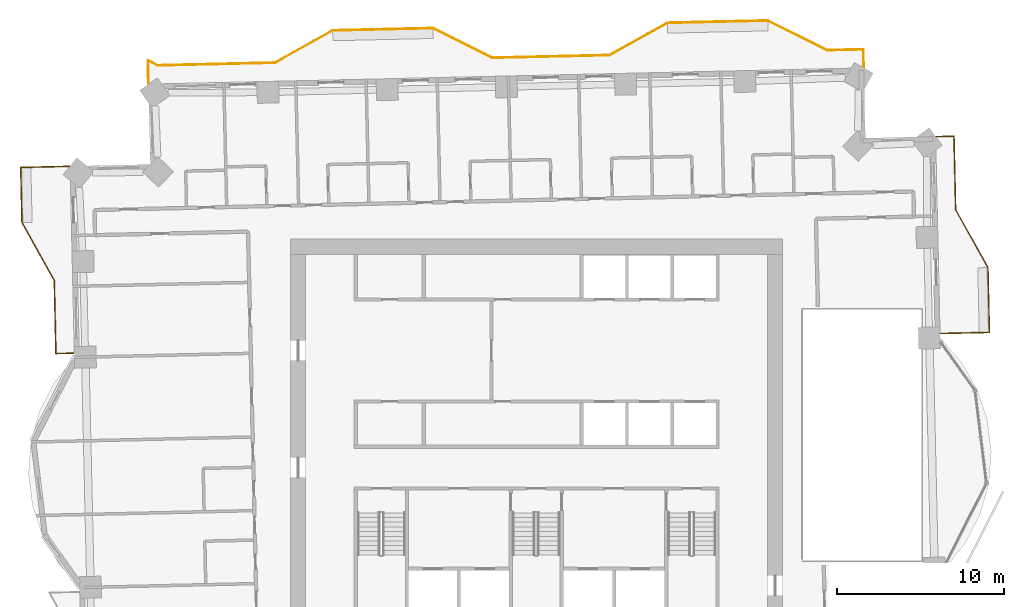
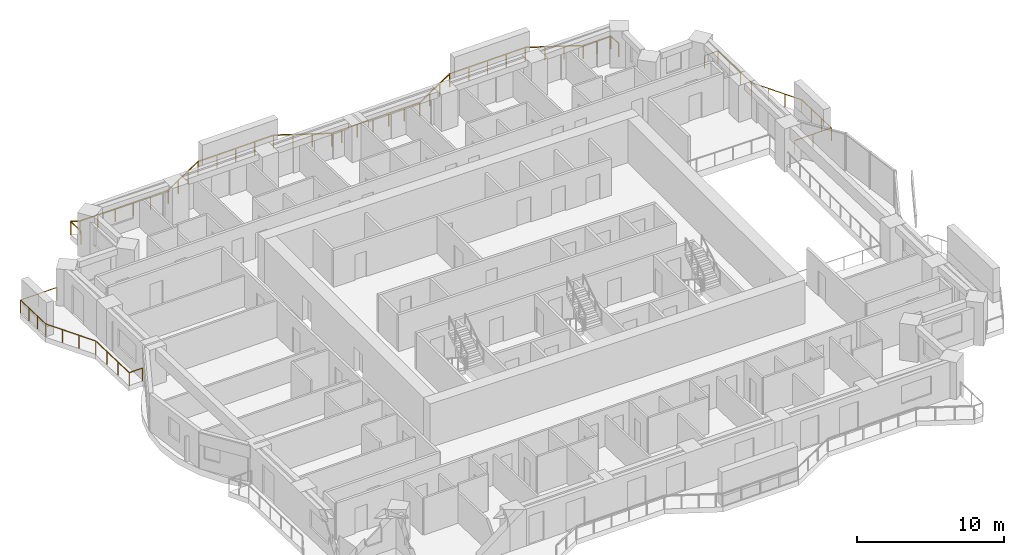
# One storey, part 16 of 16: 3 railings.
"""IFC4 building model written with IfcOpenShell, lengths in metres."""

from ifc_helpers import new_model, si_unit, direction, frame, origin, origin_2d, place, context, subcontext, project, spatial, rectangle, extrude, material, type_object, element, save


model = new_model("IFC4")

# Units and contexts
model_context = context("Model", 3, precision=1e-05, world=origin(), true_north=direction((0.0, 1.0)))
body_context = subcontext(model_context, "Body", "Model", "MODEL_VIEW")
ifc_project = project(units=[si_unit("LENGTHUNIT", "METRE"), si_unit("AREAUNIT", "SQUARE_METRE"), si_unit("VOLUMEUNIT", "CUBIC_METRE"), si_unit("PLANEANGLEUNIT", "RADIAN"), si_unit("MASSUNIT", "GRAM", prefix="KILO")], contexts=[model_context])

# Site, building, storey
site_placement = place(None, origin())
site = spatial("IfcSite", under=ifc_project, at=site_placement, CompositionType="ELEMENT")
building_placement = place(site_placement, origin())
building = spatial("IfcBuilding", under=site, at=building_placement, Name="Mangrove Gate Tower", CompositionType="ELEMENT")
storey_placement = place(building_placement, frame((0.0, 0.0, 144.5)))
storey = spatial("IfcBuildingStorey", under=building, at=storey_placement, Name="L36", CompositionType="ELEMENT", Elevation=144.5)

# Railings
ifc_material = material(Name="Stainless steel grade 316 with laminated glass infill", Category="steel")
railing_type = type_object("IfcRailingType", Name="Balcony guard 1100", PredefinedType="GUARDRAIL", material=ifc_material)
railing_1_placement = place(storey_placement, frame((24.14404296875, 6.06103515625, 0.0)))
element("IfcRailing", 1, at=railing_1_placement, inside=storey, type_object=railing_type, Name="GUARD L36 E2", PredefinedType="GUARDRAIL", context=body_context, shape_type="SweptSolid", body=[
    extrude(rectangle(XDim=0.048095703125, YDim=0.048095703125, at=origin_2d()), frame((0.0, 0.0, 1.076171875), z_axis=(0.999743349437, 0.022654696127, 0.0), x_axis=(-0.022654696127, 0.999743349437, 0.0)), (0.0, 0.0, 1.0), 2.90966796875),
    extrude(rectangle(XDim=0.048095703125, YDim=0.048095703125, at=origin_2d()), frame((2.908935546875, 0.06591796875, 1.076171875), z_axis=(-0.022681332769, 0.999742745482, 0.0), x_axis=(-0.999742745482, -0.022681332769, 0.0)), (0.0, 0.0, 1.0), 3.875),
    extrude(rectangle(XDim=0.048095703125, YDim=0.048095703125, at=origin_2d()), frame((2.821044921875, 3.93994140625, 1.076171875), z_axis=(-0.487307108654, 0.873230657876, 0.0), x_axis=(-0.873230657876, -0.487307108654, 0.0)), (0.0, 0.0, 1.0), 3.958984375),
    extrude(rectangle(XDim=0.048095703125, YDim=0.048095703125, at=origin_2d()), frame((0.891845703125, 7.39697265625, 1.076171875), z_axis=(-0.022693676786, 0.999742465355, 0.0), x_axis=(-0.999742465355, -0.022693676786, 0.0)), (0.0, 0.0, 1.0), 4.400146484375),
    extrude(rectangle(XDim=0.048095703125, YDim=0.048095703125, at=origin_2d()), frame((0.7919921875, 11.7958984375, 1.076171875), z_axis=(-0.999744919731, -0.022585293253, 0.0), x_axis=(0.022585293253, -0.999744919731, 0.0)), (0.0, 0.0, 1.0), 1.059326171875),
    extrude(rectangle(XDim=0.0419921875, YDim=0.0419921875, at=origin_2d()), origin(), (0.0, 0.0, 1.0), 1.052001953125),
    extrude(rectangle(XDim=0.0419921875, YDim=0.0419921875, at=origin_2d()), frame((1.45458984375, 0.032958984375, 0.0)), (0.0, 0.0, 1.0), 1.052001953125),
    extrude(rectangle(XDim=0.0419921875, YDim=0.0419921875, at=origin_2d()), frame((2.908935546875, 0.06591796875, 0.0)), (0.0, 0.0, 1.0), 1.052001953125),
    extrude(rectangle(XDim=0.0419921875, YDim=0.0419921875, at=origin_2d()), frame((2.879638671875, 1.357177734375, 0.0)), (0.0, 0.0, 1.0), 1.052001953125),
    extrude(rectangle(XDim=0.0419921875, YDim=0.0419921875, at=origin_2d()), frame((2.850341796875, 2.648681640625, 0.0)), (0.0, 0.0, 1.0), 1.052001953125),
    extrude(rectangle(XDim=0.0419921875, YDim=0.0419921875, at=origin_2d()), frame((2.821044921875, 3.93994140625, 0.0)), (0.0, 0.0, 1.0), 1.052001953125),
    extrude(rectangle(XDim=0.0419921875, YDim=0.0419921875, at=origin_2d()), frame((2.177978515625, 5.09228515625, 0.0)), (0.0, 0.0, 1.0), 1.052001953125),
    extrude(rectangle(XDim=0.0419921875, YDim=0.0419921875, at=origin_2d()), frame((1.534912109375, 6.24462890625, 0.0)), (0.0, 0.0, 1.0), 1.052001953125),
    extrude(rectangle(XDim=0.0419921875, YDim=0.0419921875, at=origin_2d()), frame((0.891845703125, 7.39697265625, 0.0)), (0.0, 0.0, 1.0), 1.052001953125),
    extrude(rectangle(XDim=0.0419921875, YDim=0.0419921875, at=origin_2d()), frame((0.858642578125, 8.86328125, 0.0)), (0.0, 0.0, 1.0), 1.052001953125),
    extrude(rectangle(XDim=0.0419921875, YDim=0.0419921875, at=origin_2d()), frame((0.8251953125, 10.32958984375, 0.0)), (0.0, 0.0, 1.0), 1.052001953125),
    extrude(rectangle(XDim=0.0419921875, YDim=0.0419921875, at=origin_2d()), frame((0.7919921875, 11.7958984375, 0.0)), (0.0, 0.0, 1.0), 1.052001953125),
    extrude(rectangle(XDim=0.0419921875, YDim=0.0419921875, at=origin_2d()), frame((-0.26708984375, 11.77197265625, 0.0)), (0.0, 0.0, 1.0), 1.052001953125),
])
railing_2_placement = place(storey_placement, frame((19.541015625, 21.97607421875, 0.0)))
element("IfcRailing", 2, at=railing_2_placement, inside=storey, type_object=railing_type, Name="GUARD L36 N1", PredefinedType="GUARDRAIL", context=body_context, shape_type="SweptSolid", body=[
    extrude(rectangle(XDim=0.048095703125, YDim=0.048095703125, at=origin_2d()), frame((0.0, 0.0, 1.076171875), z_axis=(-0.022590498181, 0.999744802133, 0.0), x_axis=(-0.999744802133, -0.022590498181, 0.0)), (0.0, 0.0, 1.0), 1.05908203125),
    extrude(rectangle(XDim=0.048095703125, YDim=0.048095703125, at=origin_2d()), frame((-0.02392578125, 1.058837890625, 1.076171875), z_axis=(-0.999747204869, -0.0224839133, 0.0), x_axis=(0.0224839133, -0.999747204869, 0.0)), (0.0, 0.0, 1.0), 2.171630859375),
    extrude(rectangle(XDim=0.048095703125, YDim=0.048095703125, at=origin_2d()), frame((-2.195068359375, 1.010009765625, 1.076171875), z_axis=(-0.894476522376, 0.447114919141, 0.0), x_axis=(-0.447114919141, -0.894476522376, 0.0)), (0.0, 0.0, 1.0), 3.958740234375),
    extrude(rectangle(XDim=0.048095703125, YDim=0.048095703125, at=origin_2d()), frame((-5.736083984375, 2.780029296875, 1.076171875), z_axis=(-0.999743094499, -0.022665943652, 0.0), x_axis=(0.022665943652, -0.999743094499, 0.0)), (0.0, 0.0, 1.0), 5.99951171875),
    extrude(rectangle(XDim=0.048095703125, YDim=0.048095703125, at=origin_2d()), frame((-11.734130859375, 2.64404296875, 1.076171875), z_axis=(-0.873274580395, -0.487228393298, 0.0), x_axis=(0.487228393298, -0.873274580395, 0.0)), (0.0, 0.0, 1.0), 3.95947265625),
    extrude(rectangle(XDim=0.048095703125, YDim=0.048095703125, at=origin_2d()), frame((-15.19189453125, 0.71484375, 1.076171875), z_axis=(-0.999745401179, -0.022563971753, 0.0), x_axis=(0.022563971753, -0.999745401179, 0.0)), (0.0, 0.0, 1.0), 6.19970703125),
    extrude(rectangle(XDim=0.048095703125, YDim=0.048095703125, at=origin_2d()), frame((-21.39013671875, 0.574951171875, 1.076171875), z_axis=(-0.999716673744, -0.023802777946, 0.0), x_axis=(0.023802777946, -0.999716673744, 0.0)), (0.0, 0.0, 1.0), 0.800048828125),
    extrude(rectangle(XDim=0.048095703125, YDim=0.048095703125, at=origin_2d()), frame((-22.18994140625, 0.555908203125, 1.076171875), z_axis=(-0.894377854182, 0.447312255532, 0.0), x_axis=(-0.447312255532, -0.894377854182, 0.0)), (0.0, 0.0, 1.0), 3.959228515625),
    extrude(rectangle(XDim=0.048095703125, YDim=0.048095703125, at=origin_2d()), frame((-25.73095703125, 2.326904296875, 1.076171875), z_axis=(-0.999739392852, -0.022828630714, 0.0), x_axis=(0.022828630714, -0.999739392852, 0.0)), (0.0, 0.0, 1.0), 5.99951171875),
    extrude(rectangle(XDim=0.048095703125, YDim=0.048095703125, at=origin_2d()), frame((-31.72900390625, 2.18994140625, 1.076171875), z_axis=(-0.87325689943, -0.48726008209, 0.0), x_axis=(0.48726008209, -0.87325689943, 0.0)), (0.0, 0.0, 1.0), 3.958740234375),
    extrude(rectangle(XDim=0.048095703125, YDim=0.048095703125, at=origin_2d()), frame((-35.18603515625, 0.260986328125, 1.076171875), z_axis=(-0.999745423737, -0.022562972274, 0.0), x_axis=(0.022562972274, -0.999745423737, 0.0)), (0.0, 0.0, 1.0), 7.000732421875),
    extrude(rectangle(XDim=0.048095703125, YDim=0.048095703125, at=origin_2d()), frame((-42.18505859375, 0.10302734375, 1.076171875), z_axis=(-0.894502759364, 0.447062426839, 0.0), x_axis=(-0.447062426839, -0.894502759364, 0.0)), (0.0, 0.0, 1.0), 0.64599609375),
    extrude(rectangle(XDim=0.048095703125, YDim=0.048095703125, at=origin_2d()), frame((-42.762939453125, 0.391845703125, 1.076171875), z_axis=(0.022045555211, -0.999756967215, 0.0), x_axis=(0.999756967215, 0.022045555211, 0.0)), (0.0, 0.0, 1.0), 1.362060546875),
    extrude(rectangle(XDim=0.0419921875, YDim=0.0419921875, at=origin_2d()), origin(), (0.0, 0.0, 1.0), 1.052001953125),
    extrude(rectangle(XDim=0.0419921875, YDim=0.0419921875, at=origin_2d()), frame((-0.02392578125, 1.058837890625, 0.0)), (0.0, 0.0, 1.0), 1.052001953125),
    extrude(rectangle(XDim=0.0419921875, YDim=0.0419921875, at=origin_2d()), frame((-1.109375, 1.034423828125, 0.0)), (0.0, 0.0, 1.0), 1.052001953125),
    extrude(rectangle(XDim=0.0419921875, YDim=0.0419921875, at=origin_2d()), frame((-2.195068359375, 1.010009765625, 0.0)), (0.0, 0.0, 1.0), 1.052001953125),
    extrude(rectangle(XDim=0.0419921875, YDim=0.0419921875, at=origin_2d()), frame((-3.37548828125, 1.60009765625, 0.0)), (0.0, 0.0, 1.0), 1.052001953125),
    extrude(rectangle(XDim=0.0419921875, YDim=0.0419921875, at=origin_2d()), frame((-4.5556640625, 2.18994140625, 0.0)), (0.0, 0.0, 1.0), 1.052001953125),
    extrude(rectangle(XDim=0.0419921875, YDim=0.0419921875, at=origin_2d()), frame((-5.736083984375, 2.780029296875, 0.0)), (0.0, 0.0, 1.0), 1.052001953125),
    extrude(rectangle(XDim=0.0419921875, YDim=0.0419921875, at=origin_2d()), frame((-7.235595703125, 2.74609375, 0.0)), (0.0, 0.0, 1.0), 1.052001953125),
    extrude(rectangle(XDim=0.0419921875, YDim=0.0419921875, at=origin_2d()), frame((-8.735107421875, 2.7119140625, 0.0)), (0.0, 0.0, 1.0), 1.052001953125),
    extrude(rectangle(XDim=0.0419921875, YDim=0.0419921875, at=origin_2d()), frame((-10.234619140625, 2.677978515625, 0.0)), (0.0, 0.0, 1.0), 1.052001953125),
    extrude(rectangle(XDim=0.0419921875, YDim=0.0419921875, at=origin_2d()), frame((-11.734130859375, 2.64404296875, 0.0)), (0.0, 0.0, 1.0), 1.052001953125),
    extrude(rectangle(XDim=0.0419921875, YDim=0.0419921875, at=origin_2d()), frame((-12.88671875, 2.0009765625, 0.0)), (0.0, 0.0, 1.0), 1.052001953125),
    extrude(rectangle(XDim=0.0419921875, YDim=0.0419921875, at=origin_2d()), frame((-14.039306640625, 1.35791015625, 0.0)), (0.0, 0.0, 1.0), 1.052001953125),
    extrude(rectangle(XDim=0.0419921875, YDim=0.0419921875, at=origin_2d()), frame((-15.19189453125, 0.71484375, 0.0)), (0.0, 0.0, 1.0), 1.052001953125),
    extrude(rectangle(XDim=0.0419921875, YDim=0.0419921875, at=origin_2d()), frame((-16.431640625, 0.686767578125, 0.0)), (0.0, 0.0, 1.0), 1.052001953125),
    extrude(rectangle(XDim=0.0419921875, YDim=0.0419921875, at=origin_2d()), frame((-17.671142578125, 0.658935546875, 0.0)), (0.0, 0.0, 1.0), 1.052001953125),
    extrude(rectangle(XDim=0.0419921875, YDim=0.0419921875, at=origin_2d()), frame((-18.910888671875, 0.630859375, 0.0)), (0.0, 0.0, 1.0), 1.052001953125),
    extrude(rectangle(XDim=0.0419921875, YDim=0.0419921875, at=origin_2d()), frame((-20.150390625, 0.60302734375, 0.0)), (0.0, 0.0, 1.0), 1.052001953125),
    extrude(rectangle(XDim=0.0419921875, YDim=0.0419921875, at=origin_2d()), frame((-21.39013671875, 0.574951171875, 0.0)), (0.0, 0.0, 1.0), 1.052001953125),
    extrude(rectangle(XDim=0.0419921875, YDim=0.0419921875, at=origin_2d()), frame((-22.18994140625, 0.555908203125, 0.0)), (0.0, 0.0, 1.0), 1.052001953125),
    extrude(rectangle(XDim=0.0419921875, YDim=0.0419921875, at=origin_2d()), frame((-23.370361328125, 1.146240234375, 0.0)), (0.0, 0.0, 1.0), 1.052001953125),
    extrude(rectangle(XDim=0.0419921875, YDim=0.0419921875, at=origin_2d()), frame((-24.550537109375, 1.736572265625, 0.0)), (0.0, 0.0, 1.0), 1.052001953125),
    extrude(rectangle(XDim=0.0419921875, YDim=0.0419921875, at=origin_2d()), frame((-25.73095703125, 2.326904296875, 0.0)), (0.0, 0.0, 1.0), 1.052001953125),
    extrude(rectangle(XDim=0.0419921875, YDim=0.0419921875, at=origin_2d()), frame((-27.23046875, 2.292724609375, 0.0)), (0.0, 0.0, 1.0), 1.052001953125),
    extrude(rectangle(XDim=0.0419921875, YDim=0.0419921875, at=origin_2d()), frame((-28.72998046875, 2.25830078125, 0.0)), (0.0, 0.0, 1.0), 1.052001953125),
    extrude(rectangle(XDim=0.0419921875, YDim=0.0419921875, at=origin_2d()), frame((-30.2294921875, 2.22412109375, 0.0)), (0.0, 0.0, 1.0), 1.052001953125),
    extrude(rectangle(XDim=0.0419921875, YDim=0.0419921875, at=origin_2d()), frame((-31.72900390625, 2.18994140625, 0.0)), (0.0, 0.0, 1.0), 1.052001953125),
    extrude(rectangle(XDim=0.0419921875, YDim=0.0419921875, at=origin_2d()), frame((-32.88134765625, 1.546875, 0.0)), (0.0, 0.0, 1.0), 1.052001953125),
    extrude(rectangle(XDim=0.0419921875, YDim=0.0419921875, at=origin_2d()), frame((-34.03369140625, 0.904052734375, 0.0)), (0.0, 0.0, 1.0), 1.052001953125),
    extrude(rectangle(XDim=0.0419921875, YDim=0.0419921875, at=origin_2d()), frame((-35.18603515625, 0.260986328125, 0.0)), (0.0, 0.0, 1.0), 1.052001953125),
    extrude(rectangle(XDim=0.0419921875, YDim=0.0419921875, at=origin_2d()), frame((-36.5859375, 0.2294921875, 0.0)), (0.0, 0.0, 1.0), 1.052001953125),
    extrude(rectangle(XDim=0.0419921875, YDim=0.0419921875, at=origin_2d()), frame((-37.985595703125, 0.19775390625, 0.0)), (0.0, 0.0, 1.0), 1.052001953125),
    extrude(rectangle(XDim=0.0419921875, YDim=0.0419921875, at=origin_2d()), frame((-39.385498046875, 0.166259765625, 0.0)), (0.0, 0.0, 1.0), 1.052001953125),
    extrude(rectangle(XDim=0.0419921875, YDim=0.0419921875, at=origin_2d()), frame((-40.78515625, 0.134521484375, 0.0)), (0.0, 0.0, 1.0), 1.052001953125),
    extrude(rectangle(XDim=0.0419921875, YDim=0.0419921875, at=origin_2d()), frame((-42.18505859375, 0.10302734375, 0.0)), (0.0, 0.0, 1.0), 1.052001953125),
    extrude(rectangle(XDim=0.0419921875, YDim=0.0419921875, at=origin_2d()), frame((-42.762939453125, 0.391845703125, 0.0)), (0.0, 0.0, 1.0), 1.052001953125),
    extrude(rectangle(XDim=0.0419921875, YDim=0.0419921875, at=origin_2d()), frame((-42.73291015625, -0.969970703125, 0.0)), (0.0, 0.0, 1.0), 1.052001953125),
])
railing_3_placement = place(storey_placement, frame((-27.9208984375, 16.056884765625, 0.0)))
element("IfcRailing", 3, at=railing_3_placement, inside=storey, type_object=railing_type, Name="GUARD L36 W1", PredefinedType="GUARDRAIL", context=body_context, shape_type="SweptSolid", body=[
    extrude(rectangle(XDim=0.048095703125, YDim=0.048095703125, at=origin_2d()), frame((0.0, 0.0, 1.076171875), z_axis=(-0.999743392495, -0.022652795902, 0.0), x_axis=(0.022652795902, -0.999743392495, 0.0)), (0.0, 0.0, 1.0), 2.909912109375),
    extrude(rectangle(XDim=0.048095703125, YDim=0.048095703125, at=origin_2d()), frame((-2.9091796875, -0.06591796875, 1.076171875), z_axis=(0.02278694782, -0.999740343794, 0.0), x_axis=(0.999740343794, 0.02278694782, 0.0)), (0.0, 0.0, 1.0), 3.300048828125),
    extrude(rectangle(XDim=0.048095703125, YDim=0.048095703125, at=origin_2d()), frame((-2.833984375, -3.364990234375, 1.076171875), z_axis=(0.487286324359, -0.873242256246, 0.0), x_axis=(0.873242256246, 0.487286324359, 0.0)), (0.0, 0.0, 1.0), 3.95849609375),
    extrude(rectangle(XDim=0.048095703125, YDim=0.048095703125, at=origin_2d()), frame((-0.905029296875, -6.82177734375, 1.076171875), z_axis=(0.022604762968, -0.9997444797, 0.0), x_axis=(0.9997444797, 0.022604762968, 0.0)), (0.0, 0.0, 1.0), 4.374267578125),
    extrude(rectangle(XDim=0.048095703125, YDim=0.048095703125, at=origin_2d()), frame((-0.80615234375, -11.19482421875, 1.076171875), z_axis=(0.999745389313, 0.022564497502, 0.0), x_axis=(-0.022564497502, 0.999745389313, 0.0)), (0.0, 0.0, 1.0), 1.060302734375),
    extrude(rectangle(XDim=0.0419921875, YDim=0.0419921875, at=origin_2d()), origin(), (0.0, 0.0, 1.0), 1.052001953125),
    extrude(rectangle(XDim=0.0419921875, YDim=0.0419921875, at=origin_2d()), frame((-1.45458984375, -0.032958984375, 0.0)), (0.0, 0.0, 1.0), 1.052001953125),
    extrude(rectangle(XDim=0.0419921875, YDim=0.0419921875, at=origin_2d()), frame((-2.9091796875, -0.06591796875, 0.0)), (0.0, 0.0, 1.0), 1.052001953125),
    extrude(rectangle(XDim=0.0419921875, YDim=0.0419921875, at=origin_2d()), frame((-2.884033203125, -1.16552734375, 0.0)), (0.0, 0.0, 1.0), 1.052001953125),
    extrude(rectangle(XDim=0.0419921875, YDim=0.0419921875, at=origin_2d()), frame((-2.859130859375, -2.265380859375, 0.0)), (0.0, 0.0, 1.0), 1.052001953125),
    extrude(rectangle(XDim=0.0419921875, YDim=0.0419921875, at=origin_2d()), frame((-2.833984375, -3.364990234375, 0.0)), (0.0, 0.0, 1.0), 1.052001953125),
    extrude(rectangle(XDim=0.0419921875, YDim=0.0419921875, at=origin_2d()), frame((-2.19091796875, -4.517333984375, 0.0)), (0.0, 0.0, 1.0), 1.052001953125),
    extrude(rectangle(XDim=0.0419921875, YDim=0.0419921875, at=origin_2d()), frame((-1.548095703125, -5.66943359375, 0.0)), (0.0, 0.0, 1.0), 1.052001953125),
    extrude(rectangle(XDim=0.0419921875, YDim=0.0419921875, at=origin_2d()), frame((-0.905029296875, -6.82177734375, 0.0)), (0.0, 0.0, 1.0), 1.052001953125),
    extrude(rectangle(XDim=0.0419921875, YDim=0.0419921875, at=origin_2d()), frame((-0.8720703125, -8.279541015625, 0.0)), (0.0, 0.0, 1.0), 1.052001953125),
    extrude(rectangle(XDim=0.0419921875, YDim=0.0419921875, at=origin_2d()), frame((-0.839111328125, -9.737060546875, 0.0)), (0.0, 0.0, 1.0), 1.052001953125),
    extrude(rectangle(XDim=0.0419921875, YDim=0.0419921875, at=origin_2d()), frame((-0.80615234375, -11.19482421875, 0.0)), (0.0, 0.0, 1.0), 1.052001953125),
    extrude(rectangle(XDim=0.0419921875, YDim=0.0419921875, at=origin_2d()), frame((0.25390625, -11.1708984375, 0.0)), (0.0, 0.0, 1.0), 1.052001953125),
])

save(model, "model.ifc")
